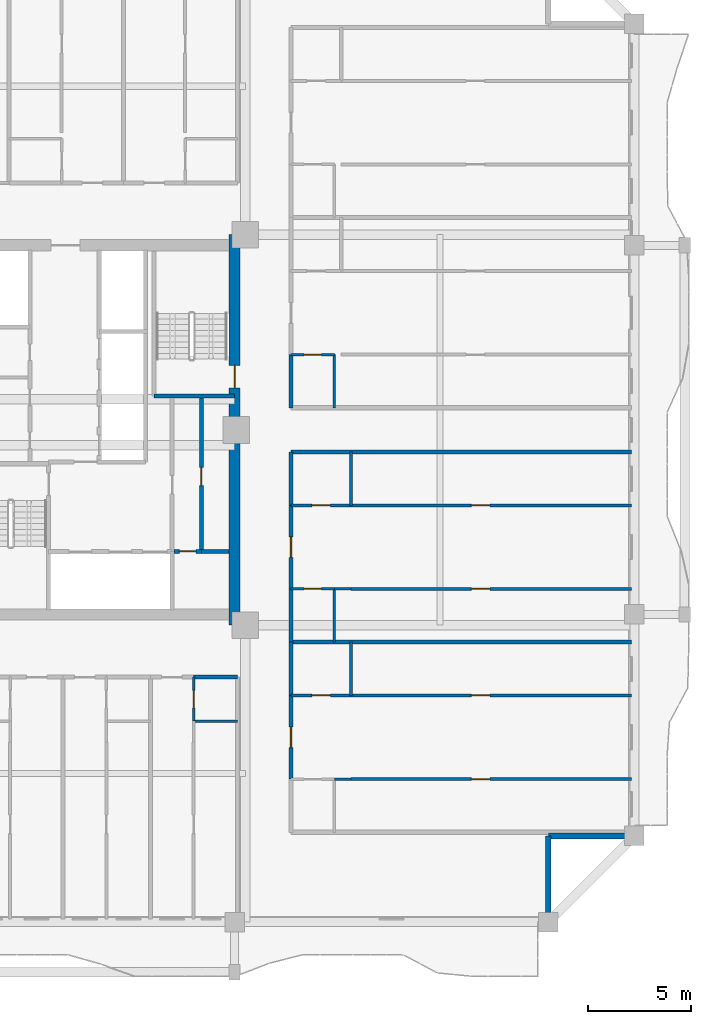
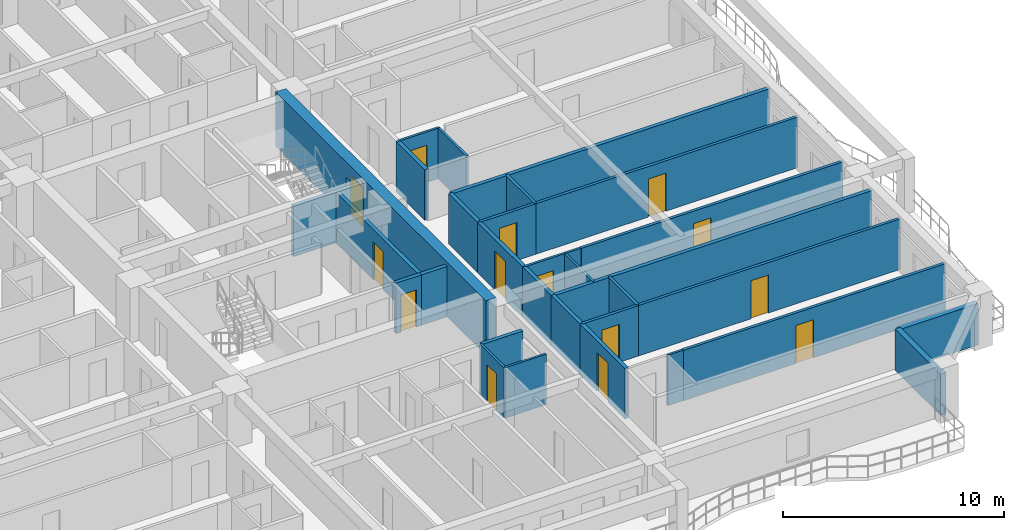
# One storey, part 5 of 13: 32 walls, 14 doors, 14 openings.
"""IFC4 building model written with IfcOpenShell, lengths in metres."""

from ifc_helpers import new_model, si_unit, direction, frame, frame_2d, origin, place, context, subcontext, project, spatial, rectangle, extrude, source, transform, mapped, material, layer, layer_set, type_object, element, fill, save


model = new_model("IFC4")

# Units and contexts
model_context = context("Model", 3, precision=1e-05, world=origin(), true_north=direction((0.0, 1.0)))
body_context = subcontext(model_context, "Body", "Model", "MODEL_VIEW")
ifc_project = project(units=[si_unit("LENGTHUNIT", "METRE"), si_unit("AREAUNIT", "SQUARE_METRE"), si_unit("VOLUMEUNIT", "CUBIC_METRE"), si_unit("PLANEANGLEUNIT", "RADIAN"), si_unit("MASSUNIT", "GRAM", prefix="KILO")], contexts=[model_context])

# Site, building, storey
site_placement = place(None, origin())
site = spatial("IfcSite", under=ifc_project, at=site_placement, CompositionType="ELEMENT")
building_placement = place(site_placement, origin())
building = spatial("IfcBuilding", under=site, at=building_placement, Name="Saelheon Loggia Tower", CompositionType="ELEMENT")
storey_placement = place(building_placement, frame((0.0, 0.0, 104.85009765625)))
storey = spatial("IfcBuildingStorey", under=building, at=storey_placement, Name="L33", CompositionType="ELEMENT", Elevation=104.85009765625)

# Wall, opening, door
ifc_material_1 = material(Name="Concrete C50/60", Category="concrete")
ifc_layer_1 = layer(ifc_material_1, 0.550048828125)
ifc_layer_set_1 = layer_set([ifc_layer_1], Name="Concrete C50/60")
wall_type_1 = type_object("IfcWallType", Name="Wall_CoreShear_550", PredefinedType="SHEAR", material=ifc_layer_set_1)
wall_1_placement = place(storey_placement, frame((44.5, 17.47998046875, 0.0), z_axis=(0.0, 0.0, 1.0), x_axis=(0.0, 1.0, 0.0)))
wall_1 = element("IfcWall", 1, at=wall_1_placement, inside=storey, type_object=wall_type_1, Name="L33 Core Shear Wall East", PredefinedType="SHEAR", context=body_context, shape_type="SweptSolid", body=[
    extrude(rectangle(XDim=19.0400390625, YDim=0.550048828125, at=frame_2d((9.52001953125, 0.0))), origin(), (0.0, 0.0, 1.0), 3.0),
])
opening_1_placement = place(wall_1_placement, frame((12.670166015625, 0.0, 0.0), z_axis=(0.0, 0.0, 1.0), x_axis=(-1.0, 0.0, 0.0)))
opening_1 = element("IfcOpeningElement", 2, at=opening_1_placement, cuts=wall_1, Name="Opening D-FD2", PredefinedType="OPENING", context=body_context, shape_type="SweptSolid", body=[
    extrude(rectangle(XDim=1.10009765625, YDim=2.14990234375, at=frame_2d((0.550048828125, 1.074951171875))), frame((0.0, 0.287109375, 0.0), z_axis=(0.0, -1.0, 0.0), x_axis=(1.0, 0.0, 0.0)), (0.0, 0.0, 1.0), 0.573974609375),
])
ifc_material_2 = material(Name="Galvanised Steel Fire Door", Category="steel")
door_type_1 = type_object("IfcDoorType", Name="Door_Fire_FD60_1100", OperationType="NOTDEFINED", PredefinedType="DOOR", material=ifc_material_2)
shared_shape_1 = source(origin(), body_context, "Body", "SweptSolid", [
    extrude(rectangle(XDim=1.10009765625, YDim=2.14990234375, at=frame_2d((0.550048828125, 1.074951171875))), frame((0.0, 0.02490234375, 0.0), z_axis=(0.0, -1.0, 0.0), x_axis=(1.0, 0.0, 0.0)), (0.0, 0.0, 1.0), 0.050048828125),
])
door_1_placement = place(opening_1_placement, origin())
door_1 = element("IfcDoor", 3, at=door_1_placement, inside=storey, type_object=door_type_1, Name="L33 Stair ST2 Corridor Door", OperationType="SINGLE_SWING_RIGHT", OverallHeight=2.14990234375, OverallWidth=1.10009765625, PredefinedType="DOOR", context=body_context, shape_type="MappedRepresentation", body=[
    mapped(shared_shape_1, transform((0.0, 0.0, 0.0), scale=1.0)),
])
fill(opening_1, door_1)

# Walls
ifc_material_3 = material(Name="Architectural Precast Concrete C40/50", Category="concrete")
ifc_layer_2 = layer(ifc_material_3, 0.280029296875)
ifc_layer_set_2 = layer_set([ifc_layer_2], Name="Architectural Precast Concrete C40/50")
wall_type_2 = type_object("IfcWallType", Name="Wall_Ext_Loggia_280", PredefinedType="SOLIDWALL", material=ifc_layer_set_2)
for number, where, z_axis, x_axis, name in (
    (4, (59.800048828125, 3.080078125, 0.0), (0.0, 0.0, 1.0), (0.0, 1.0, 0.0), "L33 Corner Notch Precast Wall SE1"),
    (5, (59.800048828125, 7.199951171875, 0.0), (0.0, 0.0, 1.0), (1.0, 0.0, 0.0), "L33 Corner Notch Precast Wall SE2"),
):
    element("IfcWall", number, at=place(storey_placement, frame(where, z_axis=z_axis, x_axis=x_axis)), inside=storey, type_object=wall_type_2, Name=name, PredefinedType="SOLIDWALL", context=body_context, shape_type="SweptSolid", body=[
        extrude(rectangle(XDim=4.119873046875, YDim=0.280029296875, at=frame_2d((2.06005859375, 0.0))), origin(), (0.0, 0.0, 1.0), 2.27978515625),
    ])
ifc_material_4 = material(Name="Lightweight Autoclaved Aerated Concrete Block and Acoustic Gypsum", Category="concrete")
ifc_layer_3 = layer(ifc_material_4, 0.14990234375)
ifc_layer_set_3 = layer_set([ifc_layer_3], Name="Lightweight Autoclaved Aerated Concrete Block and Acoustic Gypsum")
wall_type_3 = type_object("IfcWallType", Name="Wall_Part_150", PredefinedType="PARTITIONING", material=ifc_layer_set_3)
wall_2_placement = place(storey_placement, frame((50.179931640625, 14.050048828125, 0.0), z_axis=(0.0, 0.0, 1.0), x_axis=(0.0, 1.0, 0.0)))
element("IfcWall", 6, at=wall_2_placement, inside=storey, type_object=wall_type_3, Name="L33 ES Partition V07", PredefinedType="PARTITIONING", context=body_context, shape_type="SweptSolid", body=[
    extrude(rectangle(XDim=2.599853515625, YDim=0.14990234375, at=frame_2d((1.2998046875, 0.0))), origin(), (0.0, 0.0, 1.0), 2.789794921875),
])

# Wall, opening, door
wall_3_placement = place(storey_placement, frame((50.179931640625, 9.9755859375, 0.0), z_axis=(0.0, 0.0, 1.0), x_axis=(1.0, 0.0, 0.0)))
wall_3 = element("IfcWall", 7, at=wall_3_placement, inside=storey, type_object=wall_type_3, Name="L33 ES Partition U10", PredefinedType="PARTITIONING", context=body_context, shape_type="SweptSolid", body=[
    extrude(rectangle(XDim=13.670166015625, YDim=0.14990234375, at=frame_2d((6.8349609375, 0.0))), origin(), (0.0, 0.0, 1.0), 2.789794921875),
])
opening_2_placement = place(wall_3_placement, frame((5.872802734375, 0.0, 0.0)))
opening_2 = element("IfcOpeningElement", 8, at=opening_2_placement, cuts=wall_3, Name="Opening D-IN2", PredefinedType="OPENING", context=body_context, shape_type="SweptSolid", body=[
    extrude(rectangle(XDim=0.89990234375, YDim=2.10009765625, at=frame_2d((0.449951171875, 1.050048828125))), frame((0.0, 0.0869140625, 0.0), z_axis=(0.0, -1.0, 0.0), x_axis=(1.0, 0.0, 0.0)), (0.0, 0.0, 1.0), 0.173828125),
])
ifc_material_5 = material(Name="Engineered Oak Flush Door", Category="timber")
door_type_2 = type_object("IfcDoorType", Name="Door_Int_900", OperationType="NOTDEFINED", PredefinedType="DOOR", material=ifc_material_5)
shared_shape_2 = source(origin(), body_context, "Body", "SweptSolid", [
    extrude(rectangle(XDim=0.89990234375, YDim=2.10009765625, at=frame_2d((0.449951171875, 1.050048828125))), frame((0.0, 0.02490234375, 0.0), z_axis=(0.0, -1.0, 0.0), x_axis=(1.0, 0.0, 0.0)), (0.0, 0.0, 1.0), 0.050048828125),
])
door_2_placement = place(opening_2_placement, origin())
door_2 = element("IfcDoor", 9, at=door_2_placement, inside=storey, type_object=door_type_2, Name="Unit U10 Kitchen Door", OperationType="SINGLE_SWING_RIGHT", OverallHeight=2.10009765625, OverallWidth=0.89990234375, PredefinedType="DOOR", context=body_context, shape_type="MappedRepresentation", body=[
    mapped(shared_shape_2, transform((0.0, 0.0, 0.0), scale=1.0)),
])
fill(opening_2, door_2)

wall_4_placement = place(storey_placement, frame((47.25, 14.050048828125, 0.0), z_axis=(0.0, 0.0, 1.0), x_axis=(1.0, 0.0, 0.0)))
wall_4 = element("IfcWall", 10, at=wall_4_placement, inside=storey, type_object=wall_type_3, Name="L33 ES Partition U11", PredefinedType="PARTITIONING", context=body_context, shape_type="SweptSolid", body=[
    extrude(rectangle(XDim=2.929931640625, YDim=0.14990234375, at=frame_2d((1.46484375, 0.0))), origin(), (0.0, 0.0, 1.0), 2.789794921875),
])
opening_3_placement = place(wall_4_placement, frame((1.014892578125, 0.0, 0.0)))
opening_3 = element("IfcOpeningElement", 11, at=opening_3_placement, cuts=wall_4, Name="Opening D-IN2", PredefinedType="OPENING", context=body_context, shape_type="SweptSolid", body=[
    extrude(rectangle(XDim=0.89990234375, YDim=2.10009765625, at=frame_2d((0.449951171875, 1.050048828125))), frame((0.0, 0.0869140625, 0.0), z_axis=(0.0, -1.0, 0.0), x_axis=(1.0, 0.0, 0.0)), (0.0, 0.0, 1.0), 0.173828125),
])
door_3_placement = place(opening_3_placement, origin())
door_3 = element("IfcDoor", 12, at=door_3_placement, inside=storey, type_object=door_type_2, Name="Unit U10 Dressing Closet Door", OperationType="SINGLE_SWING_LEFT", OverallHeight=2.10009765625, OverallWidth=0.89990234375, PredefinedType="DOOR", context=body_context, shape_type="MappedRepresentation", body=[
    mapped(shared_shape_2, transform((0.0, 0.0, 0.0), scale=1.0)),
])
fill(opening_3, door_3)

wall_5_placement = place(storey_placement, frame((50.179931640625, 14.050048828125, 0.0), z_axis=(0.0, 0.0, 1.0), x_axis=(1.0, 0.0, 0.0)))
wall_5 = element("IfcWall", 13, at=wall_5_placement, inside=storey, type_object=wall_type_3, Name="L33 ES Partition U12", PredefinedType="PARTITIONING", context=body_context, shape_type="SweptSolid", body=[
    extrude(rectangle(XDim=13.670166015625, YDim=0.14990234375, at=frame_2d((6.8349609375, 0.0))), origin(), (0.0, 0.0, 1.0), 2.789794921875),
])
opening_4_placement = place(wall_5_placement, frame((5.872802734375, 0.0, 0.0)))
opening_4 = element("IfcOpeningElement", 14, at=opening_4_placement, cuts=wall_5, Name="Opening D-IN2", PredefinedType="OPENING", context=body_context, shape_type="SweptSolid", body=[
    extrude(rectangle(XDim=0.89990234375, YDim=2.10009765625, at=frame_2d((0.449951171875, 1.050048828125))), frame((0.0, 0.0869140625, 0.0), z_axis=(0.0, -1.0, 0.0), x_axis=(1.0, 0.0, 0.0)), (0.0, 0.0, 1.0), 0.173828125),
])
door_4_placement = place(opening_4_placement, origin())
door_4 = element("IfcDoor", 15, at=door_4_placement, inside=storey, type_object=door_type_2, Name="Unit U10 Bedroom 1 Door", OperationType="SINGLE_SWING_RIGHT", OverallHeight=2.10009765625, OverallWidth=0.89990234375, PredefinedType="DOOR", context=body_context, shape_type="MappedRepresentation", body=[
    mapped(shared_shape_2, transform((0.0, 0.0, 0.0), scale=1.0)),
])
fill(opening_4, door_4)

# Wall
wall_6_placement = place(storey_placement, frame((50.179931640625, 23.320068359375, 0.0), z_axis=(0.0, 0.0, 1.0), x_axis=(0.0, 1.0, 0.0)))
element("IfcWall", 16, at=wall_6_placement, inside=storey, type_object=wall_type_3, Name="L33 ES Partition V18", PredefinedType="PARTITIONING", context=body_context, shape_type="SweptSolid", body=[
    extrude(rectangle(XDim=2.599853515625, YDim=0.14990234375, at=frame_2d((1.2998046875, 0.0))), origin(), (0.0, 0.0, 1.0), 2.789794921875),
])

# Wall, opening, door
wall_7_placement = place(storey_placement, frame((50.179931640625, 19.24560546875, 0.0), z_axis=(0.0, 0.0, 1.0), x_axis=(1.0, 0.0, 0.0)))
wall_7 = element("IfcWall", 17, at=wall_7_placement, inside=storey, type_object=wall_type_3, Name="L33 ES Partition U21", PredefinedType="PARTITIONING", context=body_context, shape_type="SweptSolid", body=[
    extrude(rectangle(XDim=13.670166015625, YDim=0.14990234375, at=frame_2d((6.8349609375, 0.0))), origin(), (0.0, 0.0, 1.0), 2.789794921875),
])
opening_5_placement = place(wall_7_placement, frame((5.872802734375, 0.0, 0.0)))
opening_5 = element("IfcOpeningElement", 18, at=opening_5_placement, cuts=wall_7, Name="Opening D-IN2", PredefinedType="OPENING", context=body_context, shape_type="SweptSolid", body=[
    extrude(rectangle(XDim=0.89990234375, YDim=2.10009765625, at=frame_2d((0.449951171875, 1.050048828125))), frame((0.0, 0.0869140625, 0.0), z_axis=(0.0, -1.0, 0.0), x_axis=(1.0, 0.0, 0.0)), (0.0, 0.0, 1.0), 0.173828125),
])
door_5_placement = place(opening_5_placement, origin())
door_5 = element("IfcDoor", 19, at=door_5_placement, inside=storey, type_object=door_type_2, Name="Unit U11 Kitchen Door", OperationType="SINGLE_SWING_LEFT", OverallHeight=2.10009765625, OverallWidth=0.89990234375, PredefinedType="DOOR", context=body_context, shape_type="MappedRepresentation", body=[
    mapped(shared_shape_2, transform((0.0, 0.0, 0.0), scale=1.0)),
])
fill(opening_5, door_5)

wall_8_placement = place(storey_placement, frame((47.25, 23.320068359375, 0.0), z_axis=(0.0, 0.0, 1.0), x_axis=(1.0, 0.0, 0.0)))
wall_8 = element("IfcWall", 20, at=wall_8_placement, inside=storey, type_object=wall_type_3, Name="L33 ES Partition U22", PredefinedType="PARTITIONING", context=body_context, shape_type="SweptSolid", body=[
    extrude(rectangle(XDim=2.929931640625, YDim=0.14990234375, at=frame_2d((1.46484375, 0.0))), origin(), (0.0, 0.0, 1.0), 2.789794921875),
])
opening_6_placement = place(wall_8_placement, frame((1.014892578125, 0.0, 0.0)))
opening_6 = element("IfcOpeningElement", 21, at=opening_6_placement, cuts=wall_8, Name="Opening D-IN2", PredefinedType="OPENING", context=body_context, shape_type="SweptSolid", body=[
    extrude(rectangle(XDim=0.89990234375, YDim=2.10009765625, at=frame_2d((0.449951171875, 1.050048828125))), frame((0.0, 0.0869140625, 0.0), z_axis=(0.0, -1.0, 0.0), x_axis=(1.0, 0.0, 0.0)), (0.0, 0.0, 1.0), 0.173828125),
])
door_6_placement = place(opening_6_placement, origin())
door_6 = element("IfcDoor", 22, at=door_6_placement, inside=storey, type_object=door_type_2, Name="Unit U11 Dressing Closet Door", OperationType="SINGLE_SWING_RIGHT", OverallHeight=2.10009765625, OverallWidth=0.89990234375, PredefinedType="DOOR", context=body_context, shape_type="MappedRepresentation", body=[
    mapped(shared_shape_2, transform((0.0, 0.0, 0.0), scale=1.0)),
])
fill(opening_6, door_6)

wall_9_placement = place(storey_placement, frame((50.179931640625, 23.320068359375, 0.0), z_axis=(0.0, 0.0, 1.0), x_axis=(1.0, 0.0, 0.0)))
wall_9 = element("IfcWall", 23, at=wall_9_placement, inside=storey, type_object=wall_type_3, Name="L33 ES Partition U23", PredefinedType="PARTITIONING", context=body_context, shape_type="SweptSolid", body=[
    extrude(rectangle(XDim=13.670166015625, YDim=0.14990234375, at=frame_2d((6.8349609375, 0.0))), origin(), (0.0, 0.0, 1.0), 2.789794921875),
])
opening_7_placement = place(wall_9_placement, frame((5.872802734375, 0.0, 0.0)))
opening_7 = element("IfcOpeningElement", 24, at=opening_7_placement, cuts=wall_9, Name="Opening D-IN2", PredefinedType="OPENING", context=body_context, shape_type="SweptSolid", body=[
    extrude(rectangle(XDim=0.89990234375, YDim=2.10009765625, at=frame_2d((0.449951171875, 1.050048828125))), frame((0.0, 0.0869140625, 0.0), z_axis=(0.0, -1.0, 0.0), x_axis=(1.0, 0.0, 0.0)), (0.0, 0.0, 1.0), 0.173828125),
])
door_7_placement = place(opening_7_placement, origin())
door_7 = element("IfcDoor", 25, at=door_7_placement, inside=storey, type_object=door_type_2, Name="Unit U11 Bedroom 1 Door", OperationType="SINGLE_SWING_LEFT", OverallHeight=2.10009765625, OverallWidth=0.89990234375, PredefinedType="DOOR", context=body_context, shape_type="MappedRepresentation", body=[
    mapped(shared_shape_2, transform((0.0, 0.0, 0.0), scale=1.0)),
])
fill(opening_7, door_7)

# Walls
ifc_material_6 = material(Name="Double Acoustic Stud and Fireboard Partition", Category="gypsum")
ifc_layer_4 = layer(ifc_material_6, 0.199951171875)
ifc_layer_set_4 = layer_set([ifc_layer_4], Name="Double Acoustic Stud and Fireboard Partition")
wall_type_4 = type_object("IfcWallType", Name="Wall_Party_200", PredefinedType="PARTITIONING", material=ifc_layer_set_4)
wall_10_placement = place(storey_placement, frame((42.5, 14.949951171875, 0.0), z_axis=(0.0, 0.0, 1.0), x_axis=(1.0, 0.0, 0.0)))
element("IfcWall", 26, at=wall_10_placement, inside=storey, type_object=wall_type_4, Name="L33 S Partition V18", PredefinedType="PARTITIONING", context=body_context, shape_type="SweptSolid", body=[
    extrude(rectangle(XDim=2.14990234375, YDim=0.199951171875, at=frame_2d((1.074951171875, 0.0))), origin(), (0.0, 0.0, 1.0), 2.789794921875),
])
wall_11_placement = place(storey_placement, frame((47.25, 25.919921875, 0.0), z_axis=(0.0, 0.0, 1.0), x_axis=(1.0, 0.0, 0.0)))
element("IfcWall", 27, at=wall_11_placement, inside=storey, type_object=wall_type_4, Name="L33 ES Partition U02", PredefinedType="PARTITIONING", context=body_context, shape_type="SweptSolid", body=[
    extrude(rectangle(XDim=16.60009765625, YDim=0.199951171875, at=frame_2d((8.300048828125, 0.0))), origin(), (0.0, 0.0, 1.0), 2.789794921875),
])

# Wall, opening, door
wall_12_placement = place(storey_placement, frame((47.25, 9.9755859375, 0.0), z_axis=(0.0, 0.0, 1.0), x_axis=(0.0, 1.0, 0.0)))
wall_12 = element("IfcWall", 28, at=wall_12_placement, inside=storey, type_object=wall_type_4, Name="L33 ES Partition V04", PredefinedType="PARTITIONING", context=body_context, shape_type="SweptSolid", body=[
    extrude(rectangle(XDim=4.074462890625, YDim=0.199951171875, at=frame_2d((2.037109375, 0.0))), origin(), (0.0, 0.0, 1.0), 2.789794921875),
])
opening_8_placement = place(wall_12_placement, frame((1.537109375, 0.0, 0.0)))
opening_8 = element("IfcOpeningElement", 29, at=opening_8_placement, cuts=wall_12, Name="Opening D-FD1", PredefinedType="OPENING", context=body_context, shape_type="SweptSolid", body=[
    extrude(rectangle(XDim=1.0, YDim=2.14990234375, at=frame_2d((0.5, 1.074951171875))), frame((0.0, 0.112060546875, 0.0), z_axis=(0.0, -1.0, 0.0), x_axis=(1.0, 0.0, 0.0)), (0.0, 0.0, 1.0), 0.223876953125),
])
ifc_material_7 = material(Name="Fire-Rated Engineered Timber Entrance Door", Category="wood")
door_type_3 = type_object("IfcDoorType", Name="Door_Flat_FD30S", OperationType="NOTDEFINED", PredefinedType="DOOR", material=ifc_material_7)
shared_shape_3 = source(origin(), body_context, "Body", "SweptSolid", [
    extrude(rectangle(XDim=1.0, YDim=2.14990234375, at=frame_2d((0.5, 1.074951171875))), frame((0.0, 0.02490234375, 0.0), z_axis=(0.0, -1.0, 0.0), x_axis=(1.0, 0.0, 0.0)), (0.0, 0.0, 1.0), 0.050048828125),
])
door_8_placement = place(opening_8_placement, origin())
door_8 = element("IfcDoor", 30, at=door_8_placement, inside=storey, type_object=door_type_3, Name="Unit U10 Entrance Door", OperationType="SINGLE_SWING_RIGHT", OverallHeight=2.14990234375, OverallWidth=1.0, PredefinedType="DOOR", context=body_context, shape_type="MappedRepresentation", body=[
    mapped(shared_shape_3, transform((0.0, 0.0, 0.0), scale=1.0)),
])
fill(opening_8, door_8)

# Walls
wall_13_placement = place(storey_placement, frame((47.25, 14.050048828125, 0.0), z_axis=(0.0, 0.0, 1.0), x_axis=(0.0, 1.0, 0.0)))
element("IfcWall", 31, at=wall_13_placement, inside=storey, type_object=wall_type_4, Name="L33 ES Partition V05", PredefinedType="PARTITIONING", context=body_context, shape_type="SweptSolid", body=[
    extrude(rectangle(XDim=2.599853515625, YDim=0.199951171875, at=frame_2d((1.2998046875, 0.0))), origin(), (0.0, 0.0, 1.0), 2.789794921875),
])
wall_14_placement = place(storey_placement, frame((47.25, 16.64990234375, 0.0), z_axis=(0.0, 0.0, 1.0), x_axis=(1.0, 0.0, 0.0)))
element("IfcWall", 32, at=wall_14_placement, inside=storey, type_object=wall_type_4, Name="L33 ES Partition U13", PredefinedType="PARTITIONING", context=body_context, shape_type="SweptSolid", body=[
    extrude(rectangle(XDim=16.60009765625, YDim=0.199951171875, at=frame_2d((8.300048828125, 0.0))), origin(), (0.0, 0.0, 1.0), 2.789794921875),
])
wall_15_placement = place(storey_placement, frame((47.25, 16.64990234375, 0.0), z_axis=(0.0, 0.0, 1.0), x_axis=(0.0, 1.0, 0.0)))
element("IfcWall", 33, at=wall_15_placement, inside=storey, type_object=wall_type_4, Name="L33 ES Partition V14", PredefinedType="PARTITIONING", context=body_context, shape_type="SweptSolid", body=[
    extrude(rectangle(XDim=2.595703125, YDim=0.199951171875, at=frame_2d((1.2978515625, 0.0))), origin(), (0.0, 0.0, 1.0), 2.789794921875),
])

# Wall, opening, door
wall_16_placement = place(storey_placement, frame((47.25, 19.24560546875, 0.0), z_axis=(0.0, 0.0, 1.0), x_axis=(0.0, 1.0, 0.0)))
wall_16 = element("IfcWall", 34, at=wall_16_placement, inside=storey, type_object=wall_type_4, Name="L33 ES Partition V15", PredefinedType="PARTITIONING", context=body_context, shape_type="SweptSolid", body=[
    extrude(rectangle(XDim=4.074462890625, YDim=0.199951171875, at=frame_2d((2.037109375, 0.0))), origin(), (0.0, 0.0, 1.0), 2.789794921875),
])
opening_9_placement = place(wall_16_placement, frame((1.537109375, 0.0, 0.0)))
opening_9 = element("IfcOpeningElement", 35, at=opening_9_placement, cuts=wall_16, Name="Opening D-FD1", PredefinedType="OPENING", context=body_context, shape_type="SweptSolid", body=[
    extrude(rectangle(XDim=1.0, YDim=2.14990234375, at=frame_2d((0.5, 1.074951171875))), frame((0.0, 0.112060546875, 0.0), z_axis=(0.0, -1.0, 0.0), x_axis=(1.0, 0.0, 0.0)), (0.0, 0.0, 1.0), 0.223876953125),
])
door_9_placement = place(opening_9_placement, origin())
door_9 = element("IfcDoor", 36, at=door_9_placement, inside=storey, type_object=door_type_3, Name="Unit U11 Entrance Door", OperationType="SINGLE_SWING_LEFT", OverallHeight=2.14990234375, OverallWidth=1.0, PredefinedType="DOOR", context=body_context, shape_type="MappedRepresentation", body=[
    mapped(shared_shape_3, transform((0.0, 0.0, 0.0), scale=1.0)),
])
fill(opening_9, door_9)

# Walls
wall_17_placement = place(storey_placement, frame((47.25, 23.320068359375, 0.0), z_axis=(0.0, 0.0, 1.0), x_axis=(0.0, 1.0, 0.0)))
element("IfcWall", 37, at=wall_17_placement, inside=storey, type_object=wall_type_4, Name="L33 ES Partition V16", PredefinedType="PARTITIONING", context=body_context, shape_type="SweptSolid", body=[
    extrude(rectangle(XDim=2.599853515625, YDim=0.199951171875, at=frame_2d((1.2998046875, 0.0))), origin(), (0.0, 0.0, 1.0), 2.789794921875),
])
wall_18_placement = place(storey_placement, frame((47.25, 28.080078125, 0.0), z_axis=(0.0, 0.0, 1.0), x_axis=(0.0, 1.0, 0.0)))
element("IfcWall", 38, at=wall_18_placement, inside=storey, type_object=wall_type_4, Name="L33 EN Partition V03", PredefinedType="PARTITIONING", context=body_context, shape_type="SweptSolid", body=[
    extrude(rectangle(XDim=2.595458984375, YDim=0.199951171875, at=frame_2d((1.2978515625, 0.0))), origin(), (0.0, 0.0, 1.0), 2.789794921875),
])

# Wall, opening, door
ifc_material_8 = material(Name="Concrete C40/50", Category="concrete")
ifc_layer_5 = layer(ifc_material_8, 0.199951171875)
ifc_layer_set_5 = layer_set([ifc_layer_5], Name="Concrete C40/50")
wall_type_5 = type_object("IfcWallType", Name="Wall_Shaft_200", PredefinedType="PARTITIONING", material=ifc_layer_set_5)
wall_19_placement = place(storey_placement, frame((41.550048828125, 21.080078125, 0.0), z_axis=(0.0, 0.0, 1.0), x_axis=(1.0, 0.0, 0.0)))
wall_19 = element("IfcWall", 39, at=wall_19_placement, inside=storey, type_object=wall_type_5, Name="CW-BOH-L33-HS", PredefinedType="PARTITIONING", context=body_context, shape_type="SweptSolid", body=[
    extrude(rectangle(XDim=1.329833984375, YDim=0.199951171875, at=frame_2d((0.6650390625, 0.0))), origin(), (0.0, 0.0, 1.0), 2.789794921875),
])
opening_10_placement = place(wall_19_placement, frame((0.260009765625, 0.0, 0.0)))
opening_10 = element("IfcOpeningElement", 40, at=opening_10_placement, cuts=wall_19, Name="Opening D-ST1", PredefinedType="OPENING", context=body_context, shape_type="SweptSolid", body=[
    extrude(rectangle(XDim=0.800048828125, YDim=2.050048828125, at=frame_2d((0.39990234375, 1.02490234375))), frame((0.0, 0.112060546875, 0.0), z_axis=(0.0, -1.0, 0.0), x_axis=(1.0, 0.0, 0.0)), (0.0, 0.0, 1.0), 0.223876953125),
])
ifc_material_9 = material(Name="Powder-Coated Steel Store Door", Category="steel")
door_type_4 = type_object("IfcDoorType", Name="Door_Store_800", OperationType="NOTDEFINED", PredefinedType="DOOR", material=ifc_material_9)
shared_shape_4 = source(origin(), body_context, "Body", "SweptSolid", [
    extrude(rectangle(XDim=0.800048828125, YDim=2.050048828125, at=frame_2d((0.39990234375, 1.02490234375))), frame((0.0, 0.02490234375, 0.0), z_axis=(0.0, -1.0, 0.0), x_axis=(1.0, 0.0, 0.0)), (0.0, 0.0, 1.0), 0.050048828125),
])
door_10_placement = place(opening_10_placement, origin())
door_10 = element("IfcDoor", 41, at=door_10_placement, inside=storey, type_object=door_type_4, Name="L33 Electrical Riser Door", OperationType="SINGLE_SWING_RIGHT", OverallHeight=2.050048828125, OverallWidth=0.800048828125, PredefinedType="DOOR", context=body_context, shape_type="MappedRepresentation", body=[
    mapped(shared_shape_4, transform((0.0, 0.0, 0.0), scale=1.0)),
])
fill(opening_10, door_10)

# Wall
wall_20_placement = place(storey_placement, frame((42.8798828125, 21.080078125, 0.0), z_axis=(0.0, 0.0, 1.0), x_axis=(1.0, 0.0, 0.0)))
element("IfcWall", 42, at=wall_20_placement, inside=storey, type_object=wall_type_5, Name="CW-BOH-L33-HS2", PredefinedType="PARTITIONING", context=body_context, shape_type="SweptSolid", body=[
    extrude(rectangle(XDim=1.340087890625, YDim=0.199951171875, at=frame_2d((0.669921875, 0.0))), origin(), (0.0, 0.0, 1.0), 2.789794921875),
])

# Wall, opening, door
wall_21_placement = place(storey_placement, frame((42.8798828125, 21.080078125, 0.0), z_axis=(0.0, 0.0, 1.0), x_axis=(0.0, 1.0, 0.0)))
wall_21 = element("IfcWall", 43, at=wall_21_placement, inside=storey, type_object=wall_type_5, Name="CW-BOH-L33-VS", PredefinedType="PARTITIONING", context=body_context, shape_type="SweptSolid", body=[
    extrude(rectangle(XDim=7.469970703125, YDim=0.199951171875, at=frame_2d((3.73486328125, 0.0))), origin(), (0.0, 0.0, 1.0), 2.789794921875),
])
opening_11_placement = place(wall_21_placement, frame((3.199951171875, 0.0, 0.0)))
opening_11 = element("IfcOpeningElement", 44, at=opening_11_placement, cuts=wall_21, Name="Opening D-RS1", PredefinedType="OPENING", context=body_context, shape_type="SweptSolid", body=[
    extrude(rectangle(XDim=0.89990234375, YDim=2.10009765625, at=frame_2d((0.449951171875, 1.050048828125))), frame((0.0, 0.112060546875, 0.0), z_axis=(0.0, -1.0, 0.0), x_axis=(1.0, 0.0, 0.0)), (0.0, 0.0, 1.0), 0.223876953125),
])
ifc_material_10 = material(Name="Galvanised Steel Riser Access Door", Category="steel")
door_type_5 = type_object("IfcDoorType", Name="Door_Riser_FD60", OperationType="NOTDEFINED", PredefinedType="DOOR", material=ifc_material_10)
door_11_placement = place(opening_11_placement, origin())
door_11 = element("IfcDoor", 45, at=door_11_placement, inside=storey, type_object=door_type_5, Name="L33 Linen Store Door", OperationType="SINGLE_SWING_LEFT", OverallHeight=2.10009765625, OverallWidth=0.89990234375, PredefinedType="DOOR", context=body_context, shape_type="MappedRepresentation", body=[
    mapped(shared_shape_2, transform((0.0, 0.0, 0.0), scale=1.0)),
])
fill(opening_11, door_11)

# Wall
ifc_material_11 = material(Name="Concrete C45/55", Category="concrete")
ifc_layer_6 = layer(ifc_material_11, 0.199951171875)
ifc_layer_set_6 = layer_set([ifc_layer_6], Name="Concrete C45/55")
wall_type_6 = type_object("IfcWallType", Name="Wall_StairShaft_RC200", PredefinedType="SOLIDWALL", material=ifc_layer_set_6)
wall_22_placement = place(storey_placement, frame((40.570068359375, 28.64990234375, 0.0), z_axis=(0.0, 0.0, 1.0), x_axis=(1.0, 0.0, 0.0)))
element("IfcWall", 46, at=wall_22_placement, inside=storey, type_object=wall_type_6, Name="L33 Stair ST2 South Wall", PredefinedType="SOLIDWALL", context=body_context, shape_type="SweptSolid", body=[
    extrude(rectangle(XDim=3.929931640625, YDim=0.199951171875, at=frame_2d((1.96484375, 0.0))), origin(), (0.0, 0.0, 1.0), 2.789794921875),
])

# Wall, opening, door
ifc_material_12 = material(Name="Moisture-Resistant Cement Board Partition", Category="gypsum")
ifc_layer_7 = layer(ifc_material_12, 0.1201171875)
ifc_layer_set_7 = layer_set([ifc_layer_7], Name="Moisture-Resistant Cement Board Partition")
wall_type_7 = type_object("IfcWallType", Name="Wall_WetPart_120", PredefinedType="PARTITIONING", material=ifc_layer_set_7)
wall_23_placement = place(storey_placement, frame((42.5, 14.949951171875, 0.0), z_axis=(0.0, 0.0, 1.0), x_axis=(0.0, -1.0, 0.0)))
wall_23 = element("IfcWall", 47, at=wall_23_placement, inside=storey, type_object=wall_type_7, Name="L33 S Partition U19", PredefinedType="PARTITIONING", context=body_context, shape_type="SweptSolid", body=[
    extrude(rectangle(XDim=2.14990234375, YDim=0.1201171875, at=frame_2d((1.074951171875, 0.0))), origin(), (0.0, 0.0, 1.0), 2.789794921875),
])
opening_12_placement = place(wall_23_placement, frame((0.64990234375, 0.0, 0.0)))
opening_12 = element("IfcOpeningElement", 48, at=opening_12_placement, cuts=wall_23, Name="Opening D-BT1", PredefinedType="OPENING", context=body_context, shape_type="SweptSolid", body=[
    extrude(rectangle(XDim=0.85009765625, YDim=2.050048828125, at=frame_2d((0.425048828125, 1.02490234375))), frame((0.0, 0.072021484375, 0.0), z_axis=(0.0, -1.0, 0.0), x_axis=(1.0, 0.0, 0.0)), (0.0, 0.0, 1.0), 0.14404296875),
])
ifc_material_13 = material(Name="Moisture-Resistant Laminate Timber Door", Category="wood")
door_type_6 = type_object("IfcDoorType", Name="Door_Bath_850", OperationType="NOTDEFINED", PredefinedType="DOOR", material=ifc_material_13)
shared_shape_5 = source(origin(), body_context, "Body", "SweptSolid", [
    extrude(rectangle(XDim=0.85009765625, YDim=2.050048828125, at=frame_2d((0.425048828125, 1.02490234375))), frame((0.0, 0.02490234375, 0.0), z_axis=(0.0, -1.0, 0.0), x_axis=(1.0, 0.0, 0.0)), (0.0, 0.0, 1.0), 0.050048828125),
])
door_12_placement = place(opening_12_placement, origin())
door_12 = element("IfcDoor", 49, at=door_12_placement, inside=storey, type_object=door_type_6, Name="Unit U03 Bathroom Door", OperationType="SINGLE_SWING_LEFT", OverallHeight=2.050048828125, OverallWidth=0.85009765625, PredefinedType="DOOR", context=body_context, shape_type="MappedRepresentation", body=[
    mapped(shared_shape_5, transform((0.0, 0.0, 0.0), scale=1.0)),
])
fill(opening_12, door_12)

# Walls
wall_24_placement = place(storey_placement, frame((42.5, 12.800048828125, 0.0), z_axis=(0.0, 0.0, 1.0), x_axis=(1.0, 0.0, 0.0)))
element("IfcWall", 50, at=wall_24_placement, inside=storey, type_object=wall_type_7, Name="L33 S Partition V21", PredefinedType="PARTITIONING", context=body_context, shape_type="SweptSolid", body=[
    extrude(rectangle(XDim=2.14990234375, YDim=0.1201171875, at=frame_2d((1.074951171875, 0.0))), origin(), (0.0, 0.0, 1.0), 2.789794921875),
])
wall_25_placement = place(storey_placement, frame((49.3701171875, 9.9755859375, 0.0), z_axis=(0.0, 0.0, 1.0), x_axis=(1.0, 0.0, 0.0)))
element("IfcWall", 51, at=wall_25_placement, inside=storey, type_object=wall_type_7, Name="L33 ES Partition U09", PredefinedType="PARTITIONING", context=body_context, shape_type="SweptSolid", body=[
    extrude(rectangle(XDim=0.809814453125, YDim=0.1201171875, at=frame_2d((0.40478515625, 0.0))), origin(), (0.0, 0.0, 1.0), 2.789794921875),
])
wall_26_placement = place(storey_placement, frame((49.3701171875, 16.64990234375, 0.0), z_axis=(0.0, 0.0, 1.0), x_axis=(0.0, 1.0, 0.0)))
element("IfcWall", 52, at=wall_26_placement, inside=storey, type_object=wall_type_7, Name="L33 ES Partition V17", PredefinedType="PARTITIONING", context=body_context, shape_type="SweptSolid", body=[
    extrude(rectangle(XDim=2.595703125, YDim=0.1201171875, at=frame_2d((1.2978515625, 0.0))), origin(), (0.0, 0.0, 1.0), 2.789794921875),
])

# Wall, opening, door
wall_27_placement = place(storey_placement, frame((47.25, 19.24560546875, 0.0), z_axis=(0.0, 0.0, 1.0), x_axis=(1.0, 0.0, 0.0)))
wall_27 = element("IfcWall", 53, at=wall_27_placement, inside=storey, type_object=wall_type_7, Name="L33 ES Partition U19", PredefinedType="PARTITIONING", context=body_context, shape_type="SweptSolid", body=[
    extrude(rectangle(XDim=2.1201171875, YDim=0.1201171875, at=frame_2d((1.06005859375, 0.0))), origin(), (0.0, 0.0, 1.0), 2.789794921875),
])
opening_13_placement = place(wall_27_placement, frame((0.635009765625, 0.0, 0.0)))
opening_13 = element("IfcOpeningElement", 54, at=opening_13_placement, cuts=wall_27, Name="Opening D-BT1", PredefinedType="OPENING", context=body_context, shape_type="SweptSolid", body=[
    extrude(rectangle(XDim=0.85009765625, YDim=2.050048828125, at=frame_2d((0.425048828125, 1.02490234375))), frame((0.0, 0.072021484375, 0.0), z_axis=(0.0, -1.0, 0.0), x_axis=(1.0, 0.0, 0.0)), (0.0, 0.0, 1.0), 0.14404296875),
])
door_13_placement = place(opening_13_placement, origin())
door_13 = element("IfcDoor", 55, at=door_13_placement, inside=storey, type_object=door_type_6, Name="Unit U11 Bathroom Door", OperationType="SINGLE_SWING_RIGHT", OverallHeight=2.050048828125, OverallWidth=0.85009765625, PredefinedType="DOOR", context=body_context, shape_type="MappedRepresentation", body=[
    mapped(shared_shape_5, transform((0.0, 0.0, 0.0), scale=1.0)),
])
fill(opening_13, door_13)

# Walls
wall_28_placement = place(storey_placement, frame((49.3701171875, 19.24560546875, 0.0), z_axis=(0.0, 0.0, 1.0), x_axis=(1.0, 0.0, 0.0)))
element("IfcWall", 56, at=wall_28_placement, inside=storey, type_object=wall_type_7, Name="L33 ES Partition U20", PredefinedType="PARTITIONING", context=body_context, shape_type="SweptSolid", body=[
    extrude(rectangle(XDim=0.809814453125, YDim=0.1201171875, at=frame_2d((0.40478515625, 0.0))), origin(), (0.0, 0.0, 1.0), 2.789794921875),
])
wall_29_placement = place(storey_placement, frame((49.3701171875, 28.080078125, 0.0), z_axis=(0.0, 0.0, 1.0), x_axis=(0.0, 1.0, 0.0)))
element("IfcWall", 57, at=wall_29_placement, inside=storey, type_object=wall_type_7, Name="L33 EN Partition V06", PredefinedType="PARTITIONING", context=body_context, shape_type="SweptSolid", body=[
    extrude(rectangle(XDim=2.595458984375, YDim=0.1201171875, at=frame_2d((1.2978515625, 0.0))), origin(), (0.0, 0.0, 1.0), 2.789794921875),
])

# Wall, opening, door
wall_30_placement = place(storey_placement, frame((47.25, 30.675537109375, 0.0), z_axis=(0.0, 0.0, 1.0), x_axis=(1.0, 0.0, 0.0)))
wall_30 = element("IfcWall", 58, at=wall_30_placement, inside=storey, type_object=wall_type_7, Name="L33 EN Partition U08", PredefinedType="PARTITIONING", context=body_context, shape_type="SweptSolid", body=[
    extrude(rectangle(XDim=2.1201171875, YDim=0.1201171875, at=frame_2d((1.06005859375, 0.0))), origin(), (0.0, 0.0, 1.0), 2.789794921875),
])
opening_14_placement = place(wall_30_placement, frame((0.635009765625, 0.0, 0.0)))
opening_14 = element("IfcOpeningElement", 59, at=opening_14_placement, cuts=wall_30, Name="Opening D-BT1", PredefinedType="OPENING", context=body_context, shape_type="SweptSolid", body=[
    extrude(rectangle(XDim=0.85009765625, YDim=2.050048828125, at=frame_2d((0.425048828125, 1.02490234375))), frame((0.0, 0.072021484375, 0.0), z_axis=(0.0, -1.0, 0.0), x_axis=(1.0, 0.0, 0.0)), (0.0, 0.0, 1.0), 0.14404296875),
])
door_14_placement = place(opening_14_placement, origin())
door_14 = element("IfcDoor", 60, at=door_14_placement, inside=storey, type_object=door_type_6, Name="Unit U12 Bathroom Door", OperationType="SINGLE_SWING_LEFT", OverallHeight=2.050048828125, OverallWidth=0.85009765625, PredefinedType="DOOR", context=body_context, shape_type="MappedRepresentation", body=[
    mapped(shared_shape_5, transform((0.0, 0.0, 0.0), scale=1.0)),
])
fill(opening_14, door_14)

save(model, "model.ifc")
